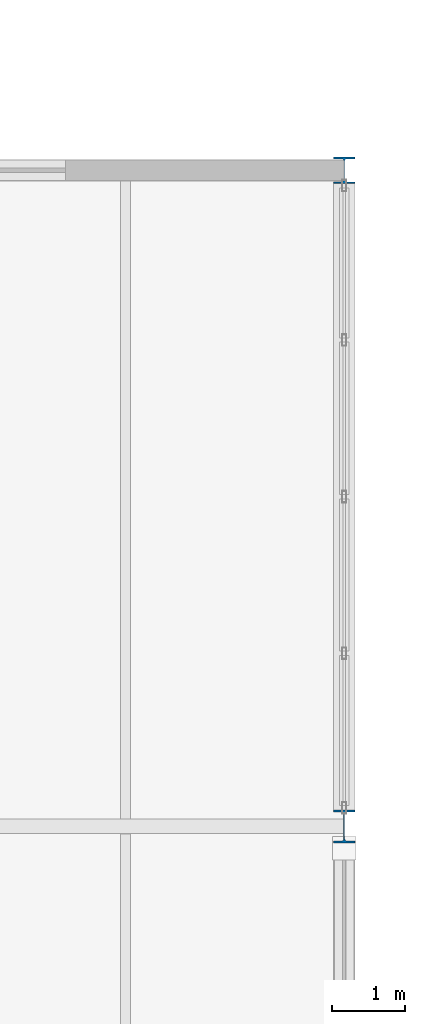
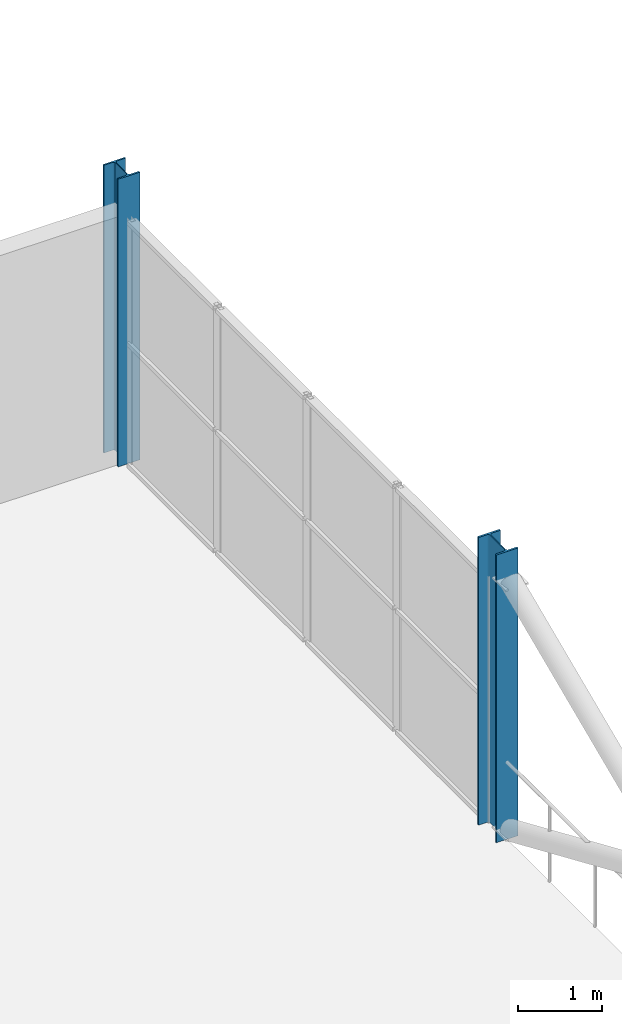
# One storey, part 20 of 135: 2 columns.
"""IFC4 building model written with IfcOpenShell, lengths in metres."""

from ifc_helpers import new_model, si_unit, direction, frame, origin, origin_2d, place, context, subcontext, project, spatial, i_section, extrude, material, material_profile, profile_set, type_object, element, save


model = new_model("IFC4")

# Units and contexts
model_context = context("Model", 3, precision=1e-05, world=origin(), true_north=direction((0.0, 1.0)))
body_context = subcontext(model_context, "Body", "Model", "MODEL_VIEW")
ifc_project = project(units=[si_unit("LENGTHUNIT", "METRE"), si_unit("AREAUNIT", "SQUARE_METRE"), si_unit("VOLUMEUNIT", "CUBIC_METRE"), si_unit("PLANEANGLEUNIT", "RADIAN"), si_unit("MASSUNIT", "GRAM", prefix="KILO")], contexts=[model_context])

# Site, building, storey
site_placement = place(None, origin())
site = spatial("IfcSite", under=ifc_project, at=site_placement, CompositionType="ELEMENT")
building_placement = place(site_placement, origin())
building = spatial("IfcBuilding", under=site, at=building_placement, Name="Deido Ridge Mobility Hub", CompositionType="ELEMENT")
storey_placement = place(building_placement, frame((0.0, 0.0, 4.199951171875)))
storey = spatial("IfcBuildingStorey", under=building, at=storey_placement, Name="L01", CompositionType="ELEMENT", Elevation=4.199951171875)

# Columns
ifc_material = material(Name="Steel S355J2 EN 10025-2", Category="steel")
ifc_material_profile_1 = material_profile(ifc_material, i_section(OverallWidth=0.300048828125, OverallDepth=0.360107421875, WebThickness=0.012451171875, FlangeThickness=0.0224609375, FilletRadius=0.027099609375, at=origin_2d()), Name="HEB 360")
ifc_profile_set_1 = profile_set([ifc_material_profile_1], Name="Steel S355J2 EN 10025-2")
column_type_1 = type_object("IfcColumnType", Name="COL-HEB360", PredefinedType="COLUMN", material=ifc_profile_set_1)
column_1_placement = place(storey_placement, frame((180.0, 72.0, 0.0), z_axis=(0.0, 0.0, 1.0), x_axis=(1.0, 0.0, 0.0)))
element("IfcColumn", 1, at=column_1_placement, inside=storey, type_object=column_type_1, Name="Structural column C8", PredefinedType="COLUMN", context=body_context, shape_type="SweptSolid", body=[
    extrude(i_section(OverallWidth=0.300048828125, OverallDepth=0.360107421875, WebThickness=0.012451171875, FlangeThickness=0.0224609375, FilletRadius=0.027099609375, at=origin_2d()), origin(), (0.0, 0.0, 1.0), 4.199951171875),
])
ifc_material_profile_2 = material_profile(ifc_material, i_section(OverallWidth=0.300048828125, OverallDepth=0.449951171875, WebThickness=0.013916015625, FlangeThickness=0.02587890625, FilletRadius=0.027099609375, at=origin_2d()), Name="HEB 450")
ifc_profile_set_2 = profile_set([ifc_material_profile_2], Name="Steel S355J2 EN 10025-2")
column_type_2 = type_object("IfcColumnType", Name="COL-HEB450", PredefinedType="COLUMN", material=ifc_profile_set_2)
column_2_placement = place(storey_placement, frame((180.0, 63.0, 0.0), z_axis=(0.0, 0.0, 1.0), x_axis=(1.0, 0.0, 0.0)))
element("IfcColumn", 2, at=column_2_placement, inside=storey, type_object=column_type_2, Name="Structural column C6", PredefinedType="COLUMN", context=body_context, shape_type="SweptSolid", body=[
    extrude(i_section(OverallWidth=0.300048828125, OverallDepth=0.449951171875, WebThickness=0.013916015625, FlangeThickness=0.02587890625, FilletRadius=0.027099609375, at=origin_2d()), origin(), (0.0, 0.0, 1.0), 4.199951171875),
])

save(model, "model.ifc")
